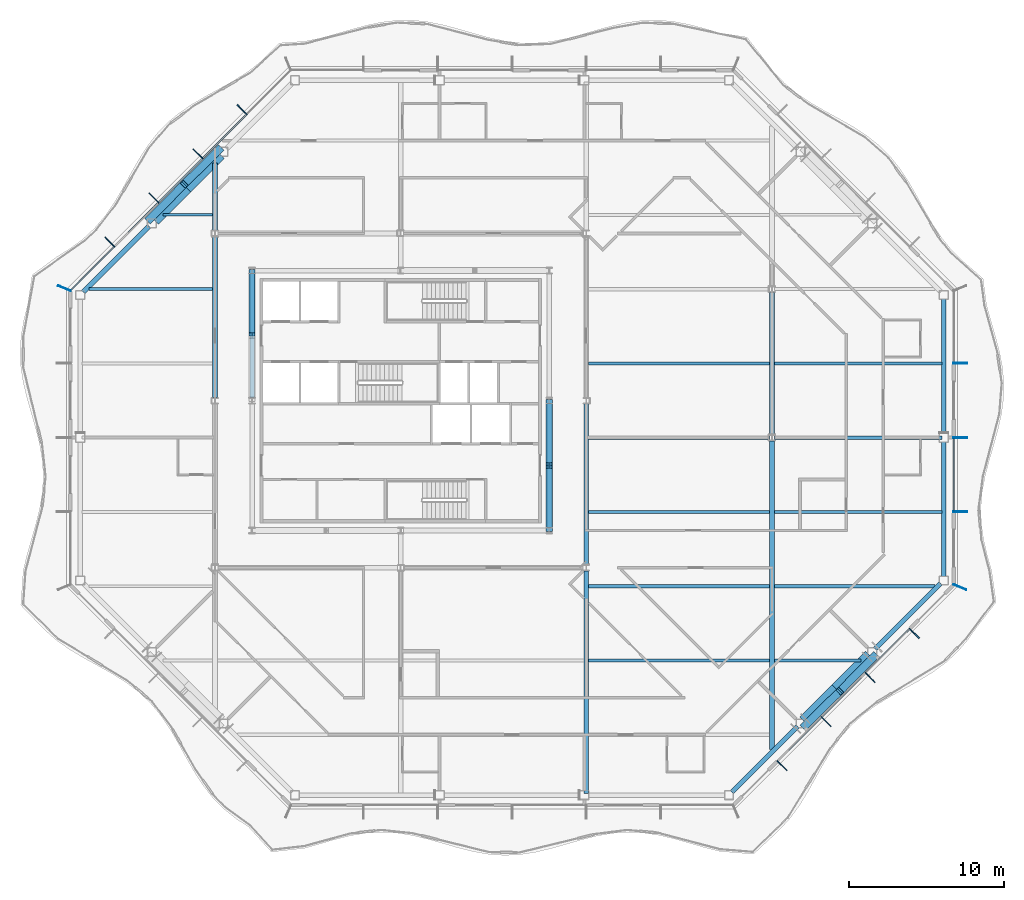
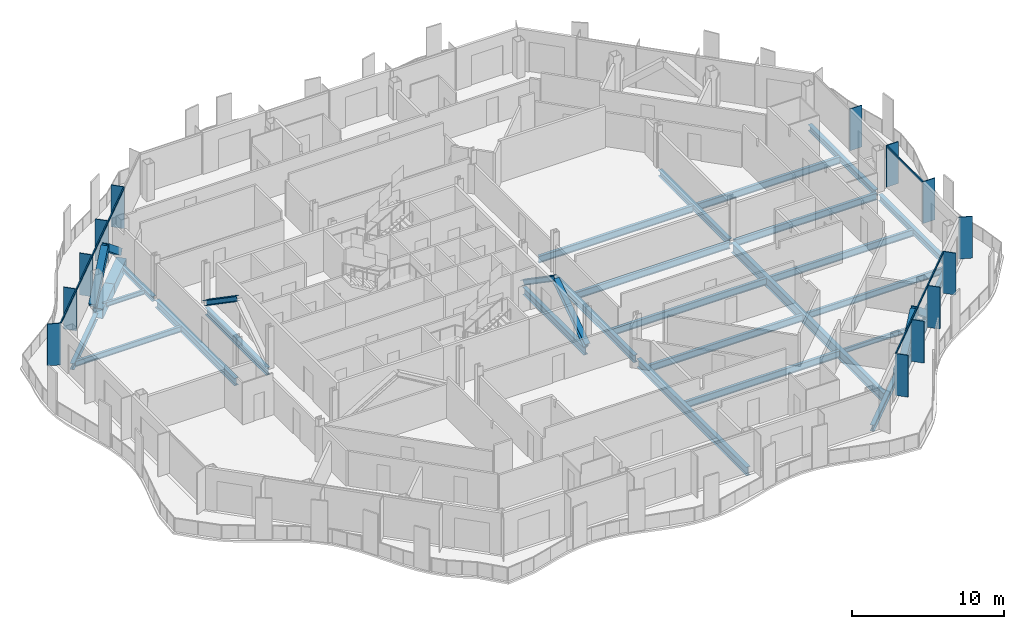
# One storey, part 4 of 19: 29 beams, 28 members, 4 elements without a shape of their own.
"""IFC4 building model written with IfcOpenShell, lengths in metres."""

from ifc_helpers import new_model, si_unit, direction, frame, origin, origin_2d, place, context, subcontext, project, spatial, rectangle, hollow_rectangle, i_section, extrude, material, material_profile, profile_set, type_object, element, aggregate, save


model = new_model("IFC4")

# Units and contexts
model_context = context("Model", 3, precision=1e-05, world=origin(), true_north=direction((0.0, 1.0)))
body_context = subcontext(model_context, "Body", "Model", "MODEL_VIEW")
ifc_project = project(units=[si_unit("LENGTHUNIT", "METRE"), si_unit("AREAUNIT", "SQUARE_METRE"), si_unit("VOLUMEUNIT", "CUBIC_METRE"), si_unit("PLANEANGLEUNIT", "RADIAN"), si_unit("MASSUNIT", "GRAM", prefix="KILO")], contexts=[model_context])

# Site, building, storey
site_placement = place(None, origin())
site = spatial("IfcSite", under=ifc_project, at=site_placement, CompositionType="ELEMENT")
building_placement = place(site_placement, origin())
building = spatial("IfcBuilding", under=site, at=building_placement, Name="Cairn Pilgrim Tower", CompositionType="ELEMENT")
storey_placement = place(building_placement, frame((0.0, 0.0, 201.0)))
storey = spatial("IfcBuildingStorey", under=building, at=storey_placement, Name="L51", CompositionType="ELEMENT", Elevation=201.0)

# Members
ifc_material_1 = material(Name="Structural steel S460M", Category="steel")
ifc_material_profile_1 = material_profile(ifc_material_1, hollow_rectangle(XDim=0.5, YDim=0.5, WallThickness=0.030029296875, at=origin_2d()), Name="BOX 500x500x30")
ifc_profile_set_1 = profile_set([ifc_material_profile_1], Name="Structural steel S460M")
member_type_1 = type_object("IfcMemberType", Name="BOX 500x500x30 BRACE", PredefinedType="BRACE", material=ifc_profile_set_1)
for number, where, z_axis, x_axis, name in (
    (1, (33.2978515625, -18.643310546875, 0.14990234375), (0.558863129775, 0.551144025773, 0.619606540502), (-0.702172509687, 0.712006858562, 0.0), "XB-SE2-SE3-1"),
    (2, (37.84326171875, -14.097900390625, 0.14990234375), (-0.551162314886, -0.558822295345, 0.619627101469), (0.711969557174, -0.702210331494, 0.0), "XB-SE2-SE3-2"),
    (3, (-4.497802734375, 18.643310546875, 0.14990234375), (-0.558863129775, -0.551144025773, 0.619606540502), (0.702172509687, -0.712006858562, 0.0), "XB-NW2-NW3-1"),
    (4, (-9.043212890625, 14.097900390625, 0.14990234375), (0.551162314886, 0.558822295345, 0.619627101469), (-0.711969557174, 0.702210331494, 0.0), "XB-NW2-NW3-2"),
):
    element("IfcMember", number, at=place(storey_placement, frame(where, z_axis=z_axis, x_axis=x_axis)), inside=storey, type_object=member_type_1, Name=name, PredefinedType="BRACE", context=body_context, shape_type="SweptSolid", body=[
        extrude(hollow_rectangle(XDim=0.5, YDim=0.5, WallThickness=0.030029296875, at=origin_2d()), origin(), (0.0, 0.0, 1.0), 4.111572265625),
    ])

# Beams
ifc_material_2 = material(Name="Structural steel S355J2", Category="steel")
ifc_material_profile_2 = material_profile(ifc_material_2, hollow_rectangle(XDim=0.699951171875, YDim=0.800048828125, WallThickness=0.0400390625, at=origin_2d()), Name="BOX 700x800x40")
ifc_profile_set_2 = profile_set([ifc_material_profile_2], Name="Structural steel S355J2")
beam_type_1 = type_object("IfcBeamType", Name="BOX 700x800x40 RING GIRDER", PredefinedType="SPANDREL", material=ifc_profile_set_2)
beam_1_placement = place(storey_placement, frame((33.242431640625, -18.284912109375, -0.550048828125), z_axis=(0.707106781187, 0.707106781187, 0.0), x_axis=(-0.707106781187, 0.707106781187, 0.0)))
element("IfcBeam", 5, at=beam_1_placement, inside=storey, type_object=beam_type_1, Name="RG2-SE2-SE3-1", PredefinedType="SPANDREL", context=body_context, shape_type="SweptSolid", body=[
    extrude(hollow_rectangle(XDim=0.699951171875, YDim=0.800048828125, WallThickness=0.0400390625, at=origin_2d()), origin(), (0.0, 0.0, 1.0), 2.94677734375),
])
for number, where, z_axis, x_axis, name in (
    (6, (35.326171875, -16.201171875, -0.550048828125), (0.707106781187, 0.707106781187, 0.0), (-0.707106781187, 0.707106781187, 0.0), "RG2-SE2-SE3-2"),
    (7, (-4.4423828125, 18.284912109375, -0.550048828125), (-0.707106781187, -0.707106781187, 0.0), (0.707106781187, -0.707106781187, 0.0), "RG2-NW2-NW3-1"),
):
    element("IfcBeam", number, at=place(storey_placement, frame(where, z_axis=z_axis, x_axis=x_axis)), inside=storey, type_object=beam_type_1, Name=name, PredefinedType="SPANDREL", context=body_context, shape_type="SweptSolid", body=[
        extrude(hollow_rectangle(XDim=0.699951171875, YDim=0.800048828125, WallThickness=0.0400390625, at=origin_2d()), origin(), (0.0, 0.0, 1.0), 3.052734375),
    ])
beam_2_placement = place(storey_placement, frame((-6.60107421875, 16.126220703125, -0.550048828125), z_axis=(-0.707106781187, -0.707106781187, 0.0), x_axis=(0.707106781187, -0.707106781187, 0.0)))
element("IfcBeam", 8, at=beam_2_placement, inside=storey, type_object=beam_type_1, Name="RG2-NW2-NW3-2", PredefinedType="SPANDREL", context=body_context, shape_type="SweptSolid", body=[
    extrude(hollow_rectangle(XDim=0.699951171875, YDim=0.800048828125, WallThickness=0.0400390625, at=origin_2d()), origin(), (0.0, 0.0, 1.0), 2.94677734375),
])

# Curtain wall, members
ifc_material_3 = material(Name="Aluminium alloy 6063-T6 bronze anodised with Bronze tinted laminated low-E glass 8+16+8.8", Category="aluminium")
curtain_wall_type_1 = type_object("IfcCurtainWallType", Name="CHAMFER CORNER CURTAIN WALL", PredefinedType="NOTDEFINED", material=ifc_material_3)
curtain_wall_1_placement = place(storey_placement, origin())
curtain_wall_1 = element("IfcCurtainWall", 9, at=curtain_wall_1_placement, inside=storey, type_object=curtain_wall_type_1, Name="Chamfer Corner Curtain Wall SE", PredefinedType="NOTDEFINED")
ifc_material_4 = material(Name="Aluminium alloy 6063-T6 bronze anodised", Category="aluminium")
ifc_material_profile_3 = material_profile(ifc_material_4, rectangle(XDim=0.89990234375, YDim=0.06005859375, at=origin_2d()), Name="FIN MULLION 60x900 BRONZE")
ifc_profile_set_3 = profile_set([ifc_material_profile_3], Name="Aluminium alloy 6063-T6 bronze anodised")
member_type_2 = type_object("IfcMemberType", Name="FIN MULLION 60x900 BRONZE", PredefinedType="MULLION", material=ifc_profile_set_3)
member_1_placement = place(storey_placement, frame((31.84423828125, -21.1962890625, 0.0), z_axis=(0.0, 0.0, 1.0), x_axis=(0.707106781187, -0.707106781187, 0.0)))
member_1 = element("IfcMember", 10, at=member_1_placement, type_object=member_type_2, Name="Fin mullion SE2", PredefinedType="MULLION", context=body_context, shape_type="SweptSolid", body=[
    extrude(rectangle(XDim=0.89990234375, YDim=0.06005859375, at=origin_2d()), origin(), (0.0, 0.0, 1.0), 3.35009765625),
])
member_2_placement = place(storey_placement, frame((34.69482421875, -18.345458984375, 0.0), z_axis=(0.0, 0.0, 1.0), x_axis=(0.707106781187, -0.707106781187, 0.0)))
member_2 = element("IfcMember", 11, at=member_2_placement, type_object=member_type_2, Name="Fin mullion SE3", PredefinedType="MULLION", context=body_context, shape_type="SweptSolid", body=[
    extrude(rectangle(XDim=0.89990234375, YDim=0.06005859375, at=origin_2d()), origin(), (0.0, 0.0, 1.0), 3.35009765625),
])
member_3_placement = place(storey_placement, frame((37.545654296875, -15.494873046875, 0.0), z_axis=(0.0, 0.0, 1.0), x_axis=(0.707106781187, -0.707106781187, 0.0)))
member_3 = element("IfcMember", 12, at=member_3_placement, type_object=member_type_2, Name="Fin mullion SE4", PredefinedType="MULLION", context=body_context, shape_type="SweptSolid", body=[
    extrude(rectangle(XDim=0.89990234375, YDim=0.06005859375, at=origin_2d()), origin(), (0.0, 0.0, 1.0), 3.35009765625),
])
member_4_placement = place(storey_placement, frame((40.396240234375, -12.64404296875, 0.0), z_axis=(0.0, 0.0, 1.0), x_axis=(0.707106781187, -0.707106781187, 0.0)))
member_4 = element("IfcMember", 13, at=member_4_placement, type_object=member_type_2, Name="Fin mullion SE5", PredefinedType="MULLION", context=body_context, shape_type="SweptSolid", body=[
    extrude(rectangle(XDim=0.89990234375, YDim=0.06005859375, at=origin_2d()), origin(), (0.0, 0.0, 1.0), 3.35009765625),
])

curtain_wall_type_2 = type_object("IfcCurtainWallType", Name="TOWER STICK CURTAIN WALL EW", PredefinedType="NOTDEFINED", material=ifc_material_3)
curtain_wall_2_placement = place(storey_placement, origin())
curtain_wall_2 = element("IfcCurtainWall", 14, at=curtain_wall_2_placement, inside=storey, type_object=curtain_wall_type_2, Name="Tower Stick Curtain Wall Ew E", PredefinedType="NOTDEFINED")
member_5_placement = place(storey_placement, frame((43.338134765625, -9.6572265625, 0.0), z_axis=(0.0, 0.0, 1.0), x_axis=(0.923879532511, -0.382683432365, 0.0)))
member_5 = element("IfcMember", 15, at=member_5_placement, type_object=member_type_2, Name="Fin mullion E1", PredefinedType="MULLION", context=body_context, shape_type="SweptSolid", body=[
    extrude(rectangle(XDim=0.89990234375, YDim=0.06005859375, at=origin_2d()), origin(), (0.0, 0.0, 1.0), 3.35009765625),
])
member_6_placement = place(storey_placement, frame((43.3701171875, -4.800048828125, 0.0), z_axis=(0.0, 0.0, 1.0), x_axis=(1.0, 0.0, 0.0)))
member_6 = element("IfcMember", 16, at=member_6_placement, type_object=member_type_2, Name="Fin mullion E2", PredefinedType="MULLION", context=body_context, shape_type="SweptSolid", body=[
    extrude(rectangle(XDim=0.89990234375, YDim=0.06005859375, at=origin_2d()), origin(), (0.0, 0.0, 1.0), 3.35009765625),
])
member_7_placement = place(storey_placement, frame((43.3701171875, 0.0, 0.0), z_axis=(0.0, 0.0, 1.0), x_axis=(1.0, 0.0, 0.0)))
member_7 = element("IfcMember", 17, at=member_7_placement, type_object=member_type_2, Name="Fin mullion E3", PredefinedType="MULLION", context=body_context, shape_type="SweptSolid", body=[
    extrude(rectangle(XDim=0.89990234375, YDim=0.06005859375, at=origin_2d()), origin(), (0.0, 0.0, 1.0), 3.35009765625),
])
member_8_placement = place(storey_placement, frame((43.3701171875, 4.800048828125, 0.0), z_axis=(0.0, 0.0, 1.0), x_axis=(1.0, 0.0, 0.0)))
member_8 = element("IfcMember", 18, at=member_8_placement, type_object=member_type_2, Name="Fin mullion E4", PredefinedType="MULLION", context=body_context, shape_type="SweptSolid", body=[
    extrude(rectangle(XDim=0.89990234375, YDim=0.06005859375, at=origin_2d()), origin(), (0.0, 0.0, 1.0), 3.35009765625),
])

curtain_wall_3_placement = place(storey_placement, origin())
curtain_wall_3 = element("IfcCurtainWall", 19, at=curtain_wall_3_placement, inside=storey, type_object=curtain_wall_type_1, Name="Chamfer Corner Curtain Wall NW", PredefinedType="NOTDEFINED")
member_9_placement = place(storey_placement, frame((-3.044189453125, 21.1962890625, 0.0), z_axis=(0.0, 0.0, 1.0), x_axis=(-0.707106781187, 0.707106781187, 0.0)))
member_9 = element("IfcMember", 20, at=member_9_placement, type_object=member_type_2, Name="Fin mullion NW2", PredefinedType="MULLION", context=body_context, shape_type="SweptSolid", body=[
    extrude(rectangle(XDim=0.89990234375, YDim=0.06005859375, at=origin_2d()), origin(), (0.0, 0.0, 1.0), 3.35009765625),
])
member_10_placement = place(storey_placement, frame((-5.894775390625, 18.345458984375, 0.0), z_axis=(0.0, 0.0, 1.0), x_axis=(-0.707106781187, 0.707106781187, 0.0)))
member_10 = element("IfcMember", 21, at=member_10_placement, type_object=member_type_2, Name="Fin mullion NW3", PredefinedType="MULLION", context=body_context, shape_type="SweptSolid", body=[
    extrude(rectangle(XDim=0.89990234375, YDim=0.06005859375, at=origin_2d()), origin(), (0.0, 0.0, 1.0), 3.35009765625),
])
member_11_placement = place(storey_placement, frame((-8.74560546875, 15.494873046875, 0.0), z_axis=(0.0, 0.0, 1.0), x_axis=(-0.707106781187, 0.707106781187, 0.0)))
member_11 = element("IfcMember", 22, at=member_11_placement, type_object=member_type_2, Name="Fin mullion NW4", PredefinedType="MULLION", context=body_context, shape_type="SweptSolid", body=[
    extrude(rectangle(XDim=0.89990234375, YDim=0.06005859375, at=origin_2d()), origin(), (0.0, 0.0, 1.0), 3.35009765625),
])
member_12_placement = place(storey_placement, frame((-11.59619140625, 12.64404296875, 0.0), z_axis=(0.0, 0.0, 1.0), x_axis=(-0.707106781187, 0.707106781187, 0.0)))
member_12 = element("IfcMember", 23, at=member_12_placement, type_object=member_type_2, Name="Fin mullion NW5", PredefinedType="MULLION", context=body_context, shape_type="SweptSolid", body=[
    extrude(rectangle(XDim=0.89990234375, YDim=0.06005859375, at=origin_2d()), origin(), (0.0, 0.0, 1.0), 3.35009765625),
])

# Curtain wall, member
curtain_wall_4_placement = place(storey_placement, origin())
curtain_wall_4 = element("IfcCurtainWall", 24, at=curtain_wall_4_placement, inside=storey, type_object=curtain_wall_type_2, Name="Tower Stick Curtain Wall Ew W", PredefinedType="NOTDEFINED")
member_13_placement = place(storey_placement, frame((-14.5380859375, 9.6572265625, 0.0), z_axis=(0.0, 0.0, 1.0), x_axis=(-0.923879532511, 0.382683432365, 0.0)))
member_13 = element("IfcMember", 25, at=member_13_placement, type_object=member_type_2, Name="Fin mullion W1", PredefinedType="MULLION", context=body_context, shape_type="SweptSolid", body=[
    extrude(rectangle(XDim=0.89990234375, YDim=0.06005859375, at=origin_2d()), origin(), (0.0, 0.0, 1.0), 3.35009765625),
])
aggregate(curtain_wall_4, [member_13])

# Members
ifc_material_profile_4 = material_profile(ifc_material_2, i_section(OverallWidth=0.39794921875, OverallDepth=0.386962890625, WebThickness=0.02099609375, FlangeThickness=0.033203125, FilletRadius=0.014892578125, at=origin_2d()), Name="HD 400x262")
ifc_profile_set_4 = profile_set([ifc_material_profile_4], Name="Structural steel S355J2")
member_type_3 = type_object("IfcMemberType", Name="HD 400x262 BRACE", PredefinedType="BRACE", material=ifc_profile_set_4)
for number, where, z_axis, x_axis, name in (
    (26, (16.800048828125, -5.959716796875, 0.10009765625), (0.0, 0.824402835875, 0.566003501934), (-1.0, 0.0, 0.0), "KB-2A"),
    (27, (16.800048828125, 2.359619140625, 0.10009765625), (0.0, -0.824402835875, 0.566003501934), (1.0, 0.0, 0.0), "KB-2B"),
):
    element("IfcMember", number, at=place(storey_placement, frame(where, z_axis=z_axis, x_axis=x_axis)), inside=storey, type_object=member_type_3, Name=name, PredefinedType="BRACE", context=body_context, shape_type="SweptSolid", body=[
        extrude(i_section(OverallWidth=0.39794921875, OverallDepth=0.386962890625, WebThickness=0.02099609375, FlangeThickness=0.033203125, FilletRadius=0.014892578125, at=origin_2d()), origin(), (0.0, 0.0, 1.0), 4.951904296875),
    ])
member_14_placement = place(storey_placement, frame((-2.39990234375, 10.759521484375, 0.10009765625), z_axis=(0.0, -0.824387040063, 0.566026508369), x_axis=(1.0, 0.0, 0.0)))
element("IfcMember", 28, at=member_14_placement, inside=storey, type_object=member_type_3, Name="KB-4A", PredefinedType="BRACE", context=body_context, shape_type="SweptSolid", body=[
    extrude(i_section(OverallWidth=0.39794921875, OverallDepth=0.386962890625, WebThickness=0.02099609375, FlangeThickness=0.033203125, FilletRadius=0.014892578125, at=origin_2d()), origin(), (0.0, 0.0, 1.0), 4.95166015625),
])

# Beams
ifc_material_profile_5 = material_profile(ifc_material_2, i_section(OverallWidth=0.300048828125, OverallDepth=0.39990234375, WebThickness=0.013427734375, FlangeThickness=0.02392578125, FilletRadius=0.027099609375, at=origin_2d()), Name="HEB 400")
ifc_profile_set_5 = profile_set([ifc_material_profile_5], Name="Structural steel S355J2")
beam_type_2 = type_object("IfcBeamType", Name="HEB 400 GIRDER", PredefinedType="BEAM", material=ifc_profile_set_5)
beam_3_placement = place(storey_placement, frame((-4.800048828125, 13.3994140625, -0.35009765625), z_axis=(0.0, 1.0, 0.0), x_axis=(-1.0, 0.0, 0.0)))
element("IfcBeam", 29, at=beam_3_placement, inside=storey, type_object=beam_type_2, Name="PG2-4", PredefinedType="BEAM", context=body_context, shape_type="SweptSolid", body=[
    extrude(i_section(OverallWidth=0.300048828125, OverallDepth=0.39990234375, WebThickness=0.013427734375, FlangeThickness=0.02392578125, FilletRadius=0.027099609375, at=origin_2d()), origin(), (0.0, 0.0, 1.0), 4.345703125),
])
ifc_material_profile_6 = material_profile(ifc_material_2, i_section(OverallWidth=0.300048828125, OverallDepth=0.5, WebThickness=0.014404296875, FlangeThickness=0.028076171875, FilletRadius=0.027099609375, at=origin_2d()), Name="HEB 500")
ifc_profile_set_6 = profile_set([ifc_material_profile_6], Name="Structural steel S355J2")
beam_type_3 = type_object("IfcBeamType", Name="HEB 500 GIRDER", PredefinedType="BEAM", material=ifc_profile_set_6)
beam_4_placement = place(storey_placement, frame((31.199951171875, 0.20458984375, -0.39990234375), z_axis=(0.0, 1.0, 0.0), x_axis=(-1.0, 0.0, 0.0)))
element("IfcBeam", 30, at=beam_4_placement, inside=storey, type_object=beam_type_3, Name="PG5-2", PredefinedType="BEAM", context=body_context, shape_type="SweptSolid", body=[
    extrude(i_section(OverallWidth=0.300048828125, OverallDepth=0.5, WebThickness=0.014404296875, FlangeThickness=0.028076171875, FilletRadius=0.027099609375, at=origin_2d()), origin(), (0.0, 0.0, 1.0), 9.19091796875),
])
ifc_material_profile_7 = material_profile(ifc_material_2, i_section(OverallWidth=0.300048828125, OverallDepth=0.5, WebThickness=0.014404296875, FlangeThickness=0.028076171875, FilletRadius=0.027099609375, at=origin_2d()), Name="HEB 500")
ifc_profile_set_7 = profile_set([ifc_material_profile_7], Name="Structural steel S355J2")
beam_type_4 = type_object("IfcBeamType", Name="HEB 500 RING GIRDER", PredefinedType="SPANDREL", material=ifc_profile_set_7)
for number, where, z_axis, x_axis, name in (
    (31, (28.6181640625, -22.9091796875, -0.39990234375), (0.707106781187, 0.707106781187, 0.0), (-0.707106781187, 0.707106781187, 0.0), "RG2-SE1-SE2"),
    (32, (37.86669921875, -13.66064453125, -0.39990234375), (0.707106781187, 0.707106781187, 0.0), (-0.707106781187, 0.707106781187, 0.0), "RG2-SE3-E1"),
):
    element("IfcBeam", number, at=place(storey_placement, frame(where, z_axis=z_axis, x_axis=x_axis)), inside=storey, type_object=beam_type_4, Name=name, PredefinedType="SPANDREL", context=body_context, shape_type="SweptSolid", body=[
        extrude(i_section(OverallWidth=0.300048828125, OverallDepth=0.5, WebThickness=0.014404296875, FlangeThickness=0.028076171875, FilletRadius=0.027099609375, at=origin_2d()), origin(), (0.0, 0.0, 1.0), 5.999755859375),
    ])
for number, where, z_axis, x_axis, name in (
    (33, (42.300048828125, -8.957275390625, -0.39990234375), (0.0, 1.0, 0.0), (-1.0, 0.0, 0.0), "RG2-E1-E2"),
    (34, (42.300048828125, 0.27001953125, -0.39990234375), (0.0, 1.0, 0.0), (-1.0, 0.0, 0.0), "RG2-E2-NE1"),
):
    element("IfcBeam", number, at=place(storey_placement, frame(where, z_axis=z_axis, x_axis=x_axis)), inside=storey, type_object=beam_type_4, Name=name, PredefinedType="SPANDREL", context=body_context, shape_type="SweptSolid", body=[
        extrude(i_section(OverallWidth=0.300048828125, OverallDepth=0.5, WebThickness=0.014404296875, FlangeThickness=0.028076171875, FilletRadius=0.027099609375, at=origin_2d()), origin(), (0.0, 0.0, 1.0), 8.687255859375),
    ])
beam_5_placement = place(storey_placement, frame((-9.066650390625, 13.66064453125, -0.39990234375), z_axis=(-0.707106781187, -0.707106781187, 0.0), x_axis=(0.707106781187, -0.707106781187, 0.0)))
element("IfcBeam", 35, at=beam_5_placement, inside=storey, type_object=beam_type_4, Name="RG2-NW3-W1", PredefinedType="SPANDREL", context=body_context, shape_type="SweptSolid", body=[
    extrude(i_section(OverallWidth=0.300048828125, OverallDepth=0.5, WebThickness=0.014404296875, FlangeThickness=0.028076171875, FilletRadius=0.027099609375, at=origin_2d()), origin(), (0.0, 0.0, 1.0), 5.999755859375),
])
ifc_material_profile_8 = material_profile(ifc_material_2, i_section(OverallWidth=0.300048828125, OverallDepth=0.60009765625, WebThickness=0.015380859375, FlangeThickness=0.030029296875, FilletRadius=0.027099609375, at=origin_2d()), Name="HEB 600")
ifc_profile_set_8 = profile_set([ifc_material_profile_8], Name="Structural steel S355J2")
beam_type_5 = type_object("IfcBeamType", Name="HEB 600 CORE BEAM", PredefinedType="BEAM", material=ifc_profile_set_8)
for number, where, z_axis, x_axis, name in (
    (36, (16.800048828125, -5.818115234375, -0.449951171875), (0.0, 1.0, 0.0), (-1.0, 0.0, 0.0), "CB-3"),
    (37, (-2.39990234375, 10.6181640625, -0.449951171875), (0.0, -1.0, 0.0), (1.0, 0.0, 0.0), "CB-7"),
):
    element("IfcBeam", number, at=place(storey_placement, frame(where, z_axis=z_axis, x_axis=x_axis)), inside=storey, type_object=beam_type_5, Name=name, PredefinedType="BEAM", context=body_context, shape_type="SweptSolid", body=[
        extrude(i_section(OverallWidth=0.300048828125, OverallDepth=0.60009765625, WebThickness=0.015380859375, FlangeThickness=0.030029296875, FilletRadius=0.027099609375, at=origin_2d()), origin(), (0.0, 0.0, 1.0), 8.036376953125),
    ])
ifc_material_profile_9 = material_profile(ifc_material_2, i_section(OverallWidth=0.300048828125, OverallDepth=0.60009765625, WebThickness=0.015380859375, FlangeThickness=0.030029296875, FilletRadius=0.027099609375, at=origin_2d()), Name="HEB 600")
ifc_profile_set_9 = profile_set([ifc_material_profile_9], Name="Structural steel S355J2")
beam_type_6 = type_object("IfcBeamType", Name="HEB 600 GIRDER", PredefinedType="BEAM", material=ifc_profile_set_9)
for number, where, z_axis, x_axis, name in (
    (38, (-4.800048828125, 2.599609375, -0.449951171875), (0.0, 1.0, 0.0), (-1.0, 0.0, 0.0), "PG2-3"),
    (39, (19.199951171875, -8.200439453125, -0.449951171875), (0.0, 1.0, 0.0), (-1.0, 0.0, 0.0), "PG4-2"),
):
    element("IfcBeam", number, at=place(storey_placement, frame(where, z_axis=z_axis, x_axis=x_axis)), inside=storey, type_object=beam_type_6, Name=name, PredefinedType="BEAM", context=body_context, shape_type="SweptSolid", body=[
        extrude(i_section(OverallWidth=0.300048828125, OverallDepth=0.60009765625, WebThickness=0.015380859375, FlangeThickness=0.030029296875, FilletRadius=0.027099609375, at=origin_2d()), origin(), (0.0, 0.0, 1.0), 10.40087890625),
    ])
ifc_material_profile_10 = material_profile(ifc_material_2, i_section(OverallWidth=0.300048828125, OverallDepth=0.699951171875, WebThickness=0.01708984375, FlangeThickness=0.031982421875, FilletRadius=0.027099609375, at=origin_2d()), Name="HEB 700")
ifc_profile_set_10 = profile_set([ifc_material_profile_10], Name="Structural steel S355J2")
beam_type_7 = type_object("IfcBeamType", Name="HEB 700 GIRDER", PredefinedType="BEAM", material=ifc_profile_set_10)
beam_6_placement = place(storey_placement, frame((19.199951171875, -22.97998046875, -0.5), z_axis=(0.0, 1.0, 0.0), x_axis=(-1.0, 0.0, 0.0)))
element("IfcBeam", 40, at=beam_6_placement, inside=storey, type_object=beam_type_7, Name="PG4-1", PredefinedType="BEAM", context=body_context, shape_type="SweptSolid", body=[
    extrude(i_section(OverallWidth=0.300048828125, OverallDepth=0.699951171875, WebThickness=0.01708984375, FlangeThickness=0.031982421875, FilletRadius=0.027099609375, at=origin_2d()), origin(), (0.0, 0.0, 1.0), 14.38037109375),
])
ifc_material_profile_11 = material_profile(ifc_material_2, i_section(OverallWidth=0.300048828125, OverallDepth=0.800048828125, WebThickness=0.017578125, FlangeThickness=0.032958984375, FilletRadius=0.030029296875, at=origin_2d()), Name="HEB 800")
ifc_profile_set_11 = profile_set([ifc_material_profile_11], Name="Structural steel S355J2")
beam_type_8 = type_object("IfcBeamType", Name="HEB 800 GIRDER", PredefinedType="BEAM", material=ifc_profile_set_11)
beam_7_placement = place(storey_placement, frame((31.199951171875, -20.14501953125, -0.550048828125), z_axis=(0.0, 1.0, 0.0), x_axis=(-1.0, 0.0, 0.0)))
element("IfcBeam", 41, at=beam_7_placement, inside=storey, type_object=beam_type_8, Name="PG5-1", PredefinedType="BEAM", context=body_context, shape_type="SweptSolid", body=[
    extrude(i_section(OverallWidth=0.300048828125, OverallDepth=0.800048828125, WebThickness=0.017578125, FlangeThickness=0.032958984375, FilletRadius=0.030029296875, at=origin_2d()), origin(), (0.0, 0.0, 1.0), 19.9404296875),
])
ifc_material_profile_12 = material_profile(ifc_material_2, i_section(OverallWidth=0.169921875, OverallDepth=0.360107421875, WebThickness=0.008056640625, FlangeThickness=0.0126953125, FilletRadius=0.01806640625, at=origin_2d()), Name="IPE 360")
ifc_profile_set_12 = profile_set([ifc_material_profile_12], Name="Structural steel S355J2")
beam_type_9 = type_object("IfcBeamType", Name="IPE 360 SECONDARY BEAM", PredefinedType="JOIST", material=ifc_profile_set_12)
beam_8_placement = place(storey_placement, frame((31.35009765625, -14.39990234375, -0.330078125), z_axis=(1.0, 0.0, 0.0), x_axis=(0.0, 1.0, 0.0)))
element("IfcBeam", 42, at=beam_8_placement, inside=storey, type_object=beam_type_9, Name="SB2-5", PredefinedType="JOIST", context=body_context, shape_type="SweptSolid", body=[
    extrude(i_section(OverallWidth=0.169921875, OverallDepth=0.360107421875, WebThickness=0.008056640625, FlangeThickness=0.0126953125, FilletRadius=0.01806640625, at=origin_2d()), origin(), (0.0, 0.0, 1.0), 5.594970703125),
])
beam_9_placement = place(storey_placement, frame((-8.14501953125, 14.39990234375, -0.330078125), z_axis=(1.0, 0.0, 0.0), x_axis=(0.0, 1.0, 0.0)))
element("IfcBeam", 43, at=beam_9_placement, inside=storey, type_object=beam_type_9, Name="SB8-1", PredefinedType="JOIST", context=body_context, shape_type="SweptSolid", body=[
    extrude(i_section(OverallWidth=0.169921875, OverallDepth=0.360107421875, WebThickness=0.008056640625, FlangeThickness=0.0126953125, FilletRadius=0.01806640625, at=origin_2d()), origin(), (0.0, 0.0, 1.0), 3.195068359375),
])
ifc_material_profile_13 = material_profile(ifc_material_2, i_section(OverallWidth=0.18994140625, OverallDepth=0.449951171875, WebThickness=0.009521484375, FlangeThickness=0.0146484375, FilletRadius=0.02099609375, at=origin_2d()), Name="IPE 450")
ifc_profile_set_13 = profile_set([ifc_material_profile_13], Name="Structural steel S355J2")
beam_type_10 = type_object("IfcBeamType", Name="IPE 450 SECONDARY BEAM", PredefinedType="JOIST", material=ifc_profile_set_13)
beam_10_placement = place(storey_placement, frame((-12.945068359375, 9.60009765625, -0.375), z_axis=(1.0, 0.0, 0.0), x_axis=(0.0, 1.0, 0.0)))
element("IfcBeam", 44, at=beam_10_placement, inside=storey, type_object=beam_type_10, Name="SB7-1", PredefinedType="JOIST", context=body_context, shape_type="SweptSolid", body=[
    extrude(i_section(OverallWidth=0.18994140625, OverallDepth=0.449951171875, WebThickness=0.009521484375, FlangeThickness=0.0146484375, FilletRadius=0.02099609375, at=origin_2d()), origin(), (0.0, 0.0, 1.0), 7.9951171875),
])
ifc_material_profile_14 = material_profile(ifc_material_2, i_section(OverallWidth=0.199951171875, OverallDepth=0.5, WebThickness=0.01025390625, FlangeThickness=0.01611328125, FilletRadius=0.02099609375, at=origin_2d()), Name="IPE 500")
ifc_profile_set_14 = profile_set([ifc_material_profile_14], Name="Structural steel S355J2")
beam_type_11 = type_object("IfcBeamType", Name="IPE 500 SECONDARY BEAM", PredefinedType="JOIST", material=ifc_profile_set_14)
beam_11_placement = place(storey_placement, frame((31.35009765625, -9.60009765625, -0.39990234375), z_axis=(1.0, 0.0, 0.0), x_axis=(0.0, 1.0, 0.0)))
element("IfcBeam", 45, at=beam_11_placement, inside=storey, type_object=beam_type_11, Name="SB3-3", PredefinedType="JOIST", context=body_context, shape_type="SweptSolid", body=[
    extrude(i_section(OverallWidth=0.199951171875, OverallDepth=0.5, WebThickness=0.01025390625, FlangeThickness=0.01611328125, FilletRadius=0.02099609375, at=origin_2d()), origin(), (0.0, 0.0, 1.0), 10.39501953125),
])
ifc_material_profile_15 = material_profile(ifc_material_2, i_section(OverallWidth=0.2099609375, OverallDepth=0.550048828125, WebThickness=0.010986328125, FlangeThickness=0.01708984375, FilletRadius=0.02392578125, at=origin_2d()), Name="IPE 550")
ifc_profile_set_15 = profile_set([ifc_material_profile_15], Name="Structural steel S355J2")
beam_type_12 = type_object("IfcBeamType", Name="IPE 550 SECONDARY BEAM", PredefinedType="JOIST", material=ifc_profile_set_15)
for number, where, z_axis, x_axis, name in (
    (46, (19.35009765625, -14.39990234375, -0.425048828125), (1.0, 0.0, 0.0), (0.0, 1.0, 0.0), "SB2-4"),
    (47, (19.35009765625, -9.60009765625, -0.425048828125), (1.0, 0.0, 0.0), (0.0, 1.0, 0.0), "SB3-2"),
    (48, (19.35009765625, -4.800048828125, -0.425048828125), (1.0, 0.0, 0.0), (0.0, 1.0, 0.0), "SB4-2"),
):
    element("IfcBeam", number, at=place(storey_placement, frame(where, z_axis=z_axis, x_axis=x_axis)), inside=storey, type_object=beam_type_12, Name=name, PredefinedType="JOIST", context=body_context, shape_type="SweptSolid", body=[
        extrude(i_section(OverallWidth=0.2099609375, OverallDepth=0.550048828125, WebThickness=0.010986328125, FlangeThickness=0.01708984375, FilletRadius=0.02392578125, at=origin_2d()), origin(), (0.0, 0.0, 1.0), 11.699951171875),
    ])
beam_12_placement = place(storey_placement, frame((31.35009765625, -4.800048828125, -0.425048828125), z_axis=(1.0, 0.0, 0.0), x_axis=(0.0, 1.0, 0.0)))
element("IfcBeam", 49, at=beam_12_placement, inside=storey, type_object=beam_type_12, Name="SB4-3", PredefinedType="JOIST", context=body_context, shape_type="SweptSolid", body=[
    extrude(i_section(OverallWidth=0.2099609375, OverallDepth=0.550048828125, WebThickness=0.010986328125, FlangeThickness=0.01708984375, FilletRadius=0.02392578125, at=origin_2d()), origin(), (0.0, 0.0, 1.0), 10.829833984375),
])
beam_13_placement = place(storey_placement, frame((19.35009765625, 0.0, -0.425048828125), z_axis=(1.0, 0.0, 0.0), x_axis=(0.0, 1.0, 0.0)))
element("IfcBeam", 50, at=beam_13_placement, inside=storey, type_object=beam_type_12, Name="SB5-2", PredefinedType="JOIST", context=body_context, shape_type="SweptSolid", body=[
    extrude(i_section(OverallWidth=0.2099609375, OverallDepth=0.550048828125, WebThickness=0.010986328125, FlangeThickness=0.01708984375, FilletRadius=0.02392578125, at=origin_2d()), origin(), (0.0, 0.0, 1.0), 11.699951171875),
])
beam_14_placement = place(storey_placement, frame((31.35009765625, 0.0, -0.425048828125), z_axis=(1.0, 0.0, 0.0), x_axis=(0.0, 1.0, 0.0)))
element("IfcBeam", 51, at=beam_14_placement, inside=storey, type_object=beam_type_12, Name="SB5-3", PredefinedType="JOIST", context=body_context, shape_type="SweptSolid", body=[
    extrude(i_section(OverallWidth=0.2099609375, OverallDepth=0.550048828125, WebThickness=0.010986328125, FlangeThickness=0.01708984375, FilletRadius=0.02392578125, at=origin_2d()), origin(), (0.0, 0.0, 1.0), 10.829833984375),
])
beam_15_placement = place(storey_placement, frame((19.35009765625, 4.800048828125, -0.425048828125), z_axis=(1.0, 0.0, 0.0), x_axis=(0.0, 1.0, 0.0)))
element("IfcBeam", 52, at=beam_15_placement, inside=storey, type_object=beam_type_12, Name="SB6-2", PredefinedType="JOIST", context=body_context, shape_type="SweptSolid", body=[
    extrude(i_section(OverallWidth=0.2099609375, OverallDepth=0.550048828125, WebThickness=0.010986328125, FlangeThickness=0.01708984375, FilletRadius=0.02392578125, at=origin_2d()), origin(), (0.0, 0.0, 1.0), 11.699951171875),
])
beam_16_placement = place(storey_placement, frame((31.35009765625, 4.800048828125, -0.425048828125), z_axis=(1.0, 0.0, 0.0), x_axis=(0.0, 1.0, 0.0)))
element("IfcBeam", 53, at=beam_16_placement, inside=storey, type_object=beam_type_12, Name="SB6-3", PredefinedType="JOIST", context=body_context, shape_type="SweptSolid", body=[
    extrude(i_section(OverallWidth=0.2099609375, OverallDepth=0.550048828125, WebThickness=0.010986328125, FlangeThickness=0.01708984375, FilletRadius=0.02392578125, at=origin_2d()), origin(), (0.0, 0.0, 1.0), 10.829833984375),
])

# Member
ifc_material_profile_16 = material_profile(ifc_material_4, rectangle(XDim=0.080078125, YDim=0.14990234375, at=origin_2d()), Name="TRANSOM 80x150 BRONZE")
ifc_profile_set_16 = profile_set([ifc_material_profile_16], Name="Aluminium alloy 6063-T6 bronze anodised")
member_type_4 = type_object("IfcMemberType", Name="TRANSOM 80x150 BRONZE", PredefinedType="USERDEFINED", material=ifc_profile_set_16)
member_15_placement = place(storey_placement, frame((31.568359375, -20.878173828125, 3.27490234375), z_axis=(0.707106781187, 0.707106781187, 0.0), x_axis=(-0.707106781187, 0.707106781187, 0.0)))
member_15 = element("IfcMember", 54, at=member_15_placement, type_object=member_type_4, Name="Transom SE2", ObjectType="TRANSOM", PredefinedType="USERDEFINED", context=body_context, shape_type="SweptSolid", body=[
    extrude(rectangle(XDim=0.080078125, YDim=0.14990234375, at=origin_2d()), origin(), (0.0, 0.0, 1.0), 3.9716796875),
])

member_16_placement = place(storey_placement, frame((34.419189453125, -18.02734375, 3.27490234375), z_axis=(0.707076043427, 0.70713751761, 0.0), x_axis=(-0.70713751761, 0.707076043427, 0.0)))
member_16 = element("IfcMember", 55, at=member_16_placement, type_object=member_type_4, Name="Transom SE3", ObjectType="TRANSOM", PredefinedType="USERDEFINED", context=body_context, shape_type="SweptSolid", body=[
    extrude(rectangle(XDim=0.080078125, YDim=0.14990234375, at=origin_2d()), origin(), (0.0, 0.0, 1.0), 3.971435546875),
])

member_17_placement = place(storey_placement, frame((37.269775390625, -15.1767578125, 3.27490234375), z_axis=(0.707106781187, 0.707106781187, 0.0), x_axis=(-0.707106781187, 0.707106781187, 0.0)))
member_17 = element("IfcMember", 56, at=member_17_placement, type_object=member_type_4, Name="Transom SE4", ObjectType="TRANSOM", PredefinedType="USERDEFINED", context=body_context, shape_type="SweptSolid", body=[
    extrude(rectangle(XDim=0.080078125, YDim=0.14990234375, at=origin_2d()), origin(), (0.0, 0.0, 1.0), 3.9716796875),
])

aggregate(curtain_wall_1, [member_1, member_2, member_3, member_4, member_15, member_16, member_17])

member_18_placement = place(storey_placement, frame((42.949951171875, -4.77001953125, 3.27490234375), z_axis=(0.0, 1.0, 0.0), x_axis=(-1.0, 0.0, 0.0)))
member_18 = element("IfcMember", 57, at=member_18_placement, type_object=member_type_4, Name="Transom E2", ObjectType="TRANSOM", PredefinedType="USERDEFINED", context=body_context, shape_type="SweptSolid", body=[
    extrude(rectangle(XDim=0.080078125, YDim=0.14990234375, at=origin_2d()), origin(), (0.0, 0.0, 1.0), 4.739990234375),
])

aggregate(curtain_wall_2, [member_5, member_6, member_7, member_8, member_18])

member_19_placement = place(storey_placement, frame((-2.768310546875, 20.878173828125, 3.27490234375), z_axis=(-0.707106781187, -0.707106781187, 0.0), x_axis=(0.707106781187, -0.707106781187, 0.0)))
member_19 = element("IfcMember", 58, at=member_19_placement, type_object=member_type_4, Name="Transom NW2", ObjectType="TRANSOM", PredefinedType="USERDEFINED", context=body_context, shape_type="SweptSolid", body=[
    extrude(rectangle(XDim=0.080078125, YDim=0.14990234375, at=origin_2d()), origin(), (0.0, 0.0, 1.0), 3.9716796875),
])

member_20_placement = place(storey_placement, frame((-5.619140625, 18.02734375, 3.27490234375), z_axis=(-0.707076043427, -0.70713751761, 0.0), x_axis=(0.70713751761, -0.707076043427, 0.0)))
member_20 = element("IfcMember", 59, at=member_20_placement, type_object=member_type_4, Name="Transom NW3", ObjectType="TRANSOM", PredefinedType="USERDEFINED", context=body_context, shape_type="SweptSolid", body=[
    extrude(rectangle(XDim=0.080078125, YDim=0.14990234375, at=origin_2d()), origin(), (0.0, 0.0, 1.0), 3.971435546875),
])

member_21_placement = place(storey_placement, frame((-8.4697265625, 15.1767578125, 3.27490234375), z_axis=(-0.707106781187, -0.707106781187, 0.0), x_axis=(0.707106781187, -0.707106781187, 0.0)))
member_21 = element("IfcMember", 60, at=member_21_placement, type_object=member_type_4, Name="Transom NW4", ObjectType="TRANSOM", PredefinedType="USERDEFINED", context=body_context, shape_type="SweptSolid", body=[
    extrude(rectangle(XDim=0.080078125, YDim=0.14990234375, at=origin_2d()), origin(), (0.0, 0.0, 1.0), 3.9716796875),
])

member_22_placement = place(storey_placement, frame((-11.320556640625, 12.325927734375, 3.27490234375), z_axis=(-0.707106781187, -0.707106781187, 0.0), x_axis=(0.707106781187, -0.707106781187, 0.0)))
member_22 = element("IfcMember", 61, at=member_22_placement, type_object=member_type_4, Name="Transom NW5", ObjectType="TRANSOM", PredefinedType="USERDEFINED", context=body_context, shape_type="SweptSolid", body=[
    extrude(rectangle(XDim=0.080078125, YDim=0.14990234375, at=origin_2d()), origin(), (0.0, 0.0, 1.0), 3.961669921875),
])

aggregate(curtain_wall_3, [member_9, member_10, member_11, member_12, member_19, member_20, member_21, member_22])

save(model, "model.ifc")
